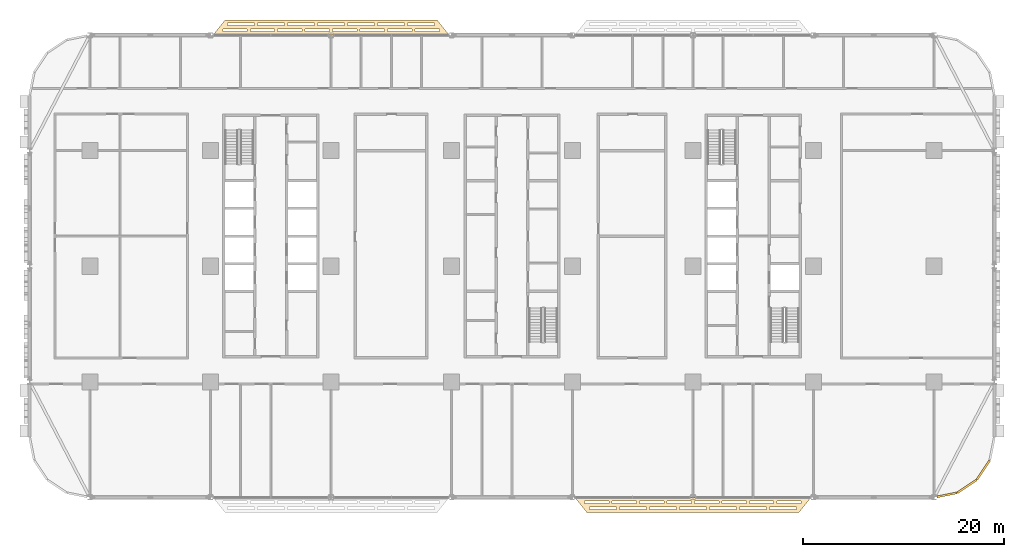
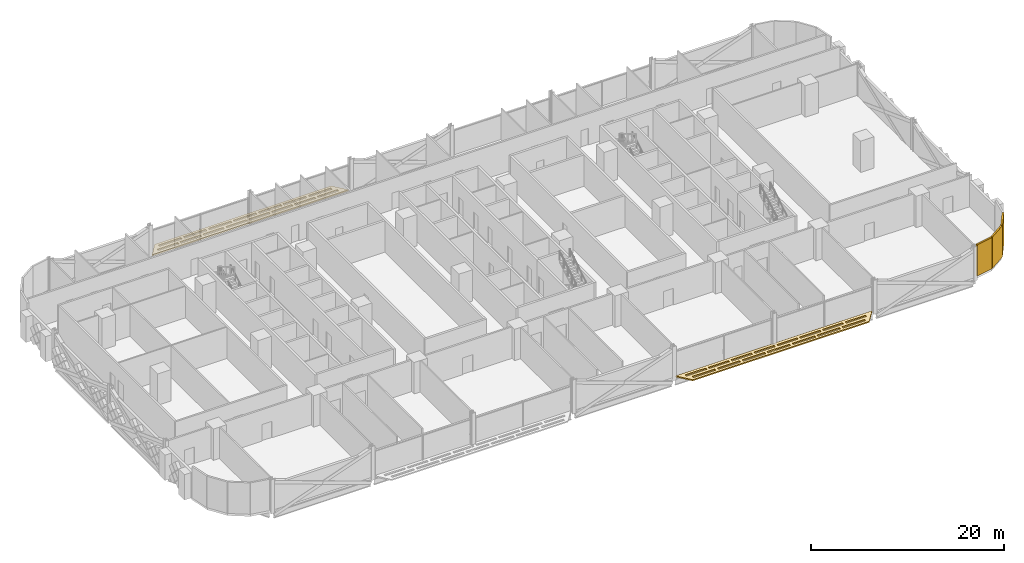
# One storey, part 25 of 27: 5 coverings.
"""IFC4 building model written with IfcOpenShell, lengths in metres."""

import ifcopenshell
import ifcopenshell.guid

model = None  # the IFC model being written
_history = None  # IfcOwnerHistory: only IFC2X3 demands one
_inside = {}  # id of a spatial element -> (the spatial element, [elements in it])
_under = {}  # id of a project, library or spatial element -> (it, [spatial elements below it])
_declared = {}  # id of a project -> (the project, [libraries it declares])
_typed = {}  # id of a type object -> (the type object, [elements of that type])
_made_of = {}  # id of a material, layer set ... -> (it, [elements and type objects made of it])


def new_model(schema):
    """Start an empty IFC model of exactly this schema.

    Asked for "IFC4X3", IfcOpenShell would pick the latest addendum, in which some entities
    have other attributes; the version numbers below select the first issue.
    IFC2X3 requires an IfcOwnerHistory on every rooted entity: one is made here for all.
    """
    global model, _history
    if schema == "IFC4X3":
        model = ifcopenshell.file(schema_version=(4, 3, 0, 0))
    else:
        model = ifcopenshell.file(schema=schema)
    _inside.clear()
    _under.clear()
    _declared.clear()
    _typed.clear()
    _made_of.clear()
    _history = None
    if model.schema == "IFC2X3":
        org = make("IfcOrganization", Name="unknown")
        user = make(
            "IfcPersonAndOrganization",
            ThePerson=make("IfcPerson", FamilyName="unknown"),
            TheOrganization=org,
        )
        app = make(
            "IfcApplication",
            ApplicationDeveloper=org,
            Version="unknown",
            ApplicationFullName="unknown",
            ApplicationIdentifier="unknown",
        )
        _history = make(
            "IfcOwnerHistory",
            OwningUser=user,
            OwningApplication=app,
            ChangeAction="ADDED",
            CreationDate=0,
        )
    return model


def make(cls, **values):
    """One entity of the class cls with the attributes given. An attribute that is None is left unset."""
    return model.create_entity(
        cls, **{name: value for name, value in values.items() if value is not None}
    )


def rooted(cls, **values):
    """An entity with a GlobalId (a new one), such as an element, a storey or a relation."""
    return make(cls, GlobalId=ifcopenshell.guid.new(), OwnerHistory=_history, **values)


def si_unit(unit_type, name, prefix=None):
    """IfcSIUnit, for example si_unit("LENGTHUNIT", "METRE", prefix="MILLI")."""
    return make("IfcSIUnit", UnitType=unit_type, Prefix=prefix, Name=name)


def assignment(units):
    """IfcUnitAssignment: the units of a project."""
    return None if units is None else make("IfcUnitAssignment", Units=units)


def point(xyz):
    """IfcCartesianPoint."""
    return None if xyz is None else make("IfcCartesianPoint", Coordinates=xyz)


def direction(xyz):
    """IfcDirection."""
    return None if xyz is None else make("IfcDirection", DirectionRatios=xyz)


def frame(location, z_axis=None, x_axis=None):
    """IfcAxis2Placement3D, a coordinate frame: its origin and axes. An axis left out is left unset."""
    return make(
        "IfcAxis2Placement3D",
        Location=point(location),
        Axis=direction(z_axis),
        RefDirection=direction(x_axis),
    )


def frame_2d(location, x_axis=None):
    """IfcAxis2Placement2D, a coordinate frame in the plane: its origin and x axis."""
    return make(
        "IfcAxis2Placement2D", Location=point(location), RefDirection=direction(x_axis)
    )


def origin():
    """The frame at (0, 0, 0) with its axes left unset."""
    return frame((0.0, 0.0, 0.0))


def origin_2d():
    """The frame at (0, 0) in the plane with its x axis left unset."""
    return frame_2d((0.0, 0.0))


def place(relative_to, where):
    """IfcLocalPlacement: puts the frame where relative to a parent placement (None: the world)."""
    return make(
        "IfcLocalPlacement", PlacementRelTo=relative_to, RelativePlacement=where
    )


def context(
    kind, dimensions, precision=None, world=None, true_north=None, identifier=None
):
    """IfcGeometricRepresentationContext, for example the 3D "Model" context."""
    return make(
        "IfcGeometricRepresentationContext",
        ContextIdentifier=identifier,
        ContextType=kind,
        CoordinateSpaceDimension=dimensions,
        Precision=precision,
        WorldCoordinateSystem=world,
        TrueNorth=true_north,
    )


def subcontext(parent, identifier, kind, view, scale=None):
    """IfcGeometricRepresentationSubContext, for example "Body" below "Model"."""
    return make(
        "IfcGeometricRepresentationSubContext",
        ContextIdentifier=identifier,
        ContextType=kind,
        ParentContext=parent,
        TargetScale=scale,
        TargetView=view,
    )


def project(units=None, contexts=None):
    """IfcProject with its units and contexts."""
    return rooted(
        "IfcProject",
        Name="project",
        RepresentationContexts=contexts,
        UnitsInContext=assignment(units),
    )


def spatial(cls, under=None, at=None, **own):
    """A site, building, storey or space (cls), placed at a placement, below another one or the project."""
    s = rooted(cls, ObjectPlacement=at, **own)
    if under is not None:
        _under.setdefault(under.id(), (under, []))[1].append(s)
    return s


def polyline(points):
    """IfcPolyline through the points."""
    return make("IfcPolyline", Points=[point(p) for p in points])


def profile(cls, at=None, kind="AREA", **sizes):
    """A parametric profile (cls). Its sizes go by their IFC names, for example OverallWidth=200.0."""
    return make(cls, ProfileType=kind, Position=at, **sizes)


def rectangle(**sizes):
    """IfcRectangleProfileDef."""
    return profile("IfcRectangleProfileDef", **sizes)


def outline(outer, holes=None, kind="AREA"):
    """IfcArbitraryClosedProfileDef: a profile drawn as a closed curve; with holes, ...WithVoids."""
    if holes is None:
        return make("IfcArbitraryClosedProfileDef", ProfileType=kind, OuterCurve=outer)
    return make(
        "IfcArbitraryProfileDefWithVoids",
        ProfileType=kind,
        OuterCurve=outer,
        InnerCurves=holes,
    )


def extrude(swept, where, along, depth):
    """IfcExtrudedAreaSolid: the profile swept, set in the frame where, extruded along a direction by depth."""
    return make(
        "IfcExtrudedAreaSolid",
        SweptArea=swept,
        Position=where,
        ExtrudedDirection=direction(along),
        Depth=depth,
    )


def shape(context_of_items, identifier, shape_type, items):
    """IfcShapeRepresentation: the items that make up one representation, for example the "Body"."""
    return make(
        "IfcShapeRepresentation",
        ContextOfItems=context_of_items,
        RepresentationIdentifier=identifier,
        RepresentationType=shape_type,
        Items=items,
    )


def material(Name=None, Category=None):
    """IfcMaterial."""
    return make("IfcMaterial", Name=Name, Category=Category)


def layer(
    of_material, thickness, ventilated=None, Name=None, Category=None, Priority=None
):
    """IfcMaterialLayer: one layer of a wall or slab, of a material (None: an air gap)."""
    return make(
        "IfcMaterialLayer",
        Material=of_material,
        LayerThickness=thickness,
        IsVentilated=ventilated,
        Name=Name,
        Category=Category,
        Priority=Priority,
    )


def layer_set(layers, Name=None):
    """IfcMaterialLayerSet."""
    return make("IfcMaterialLayerSet", MaterialLayers=layers, LayerSetName=Name)


def made_of(thing, what):
    """Note that an element or type object is made of a material, layer set ...; save() writes the relation."""
    if what is not None:
        _made_of.setdefault(what.id(), (what, []))[1].append(thing)
    return thing


def type_object(cls, material=None, **own):
    """A type object (cls), such as IfcWallType, which elements share."""
    return made_of(rooted(cls, **own), material)


def element(
    cls,
    number,
    at=None,
    inside=None,
    cuts=None,
    type_object=None,
    material=None,
    context=None,
    identifier="Body",
    shape_type=None,
    held_by="IfcProductDefinitionShape",
    body=None,
    shapes=None,
    **own,
):
    """One element of the class cls, such as IfcWall. Its Tag is "e" and its number.

    at: its placement. inside: the storey or other place that contains it. cuts: it is an
    opening in that element (IfcRelVoidsElement). A single representation is given by context,
    identifier, shape_type and body (its items); several are given by shapes. held_by: the class
    of the entity that holds the representations. save() writes the other relations.
    """
    e = rooted(cls, Tag="e%d" % number, ObjectPlacement=at, **own)
    if body is not None:
        shapes = [shape(context, identifier, shape_type, body)]
    if shapes is not None:
        e.Representation = make(held_by, Representations=shapes)
    if inside is not None:
        _inside.setdefault(inside.id(), (inside, []))[1].append(e)
    if cuts is not None:
        rooted(
            "IfcRelVoidsElement", RelatingBuildingElement=cuts, RelatedOpeningElement=e
        )
    if type_object is not None:
        _typed.setdefault(type_object.id(), (type_object, []))[1].append(e)
    return made_of(e, material)


def aggregate(whole, parts):
    """IfcRelAggregates: a whole, such as a stair, and the parts it consists of."""
    return rooted("IfcRelAggregates", RelatingObject=whole, RelatedObjects=parts)


def save(model, path):
    """Write the relations noted so far, then the file.

    IfcRelAggregates (storeys below a building ...), IfcRelContainedInSpatialStructure (elements
    in a storey), IfcRelDefinesByType, IfcRelAssociatesMaterial and IfcRelDeclares: one each for
    every whole, place, type object, material and project.
    """
    for whole, parts in _under.values():
        aggregate(whole, parts)
    for where, things in _inside.values():
        rooted(
            "IfcRelContainedInSpatialStructure",
            RelatedElements=things,
            RelatingStructure=where,
        )
    for kind, things in _typed.values():
        rooted("IfcRelDefinesByType", RelatedObjects=things, RelatingType=kind)
    for what, things in _made_of.values():
        rooted("IfcRelAssociatesMaterial", RelatedObjects=things, RelatingMaterial=what)
    for by, libraries in _declared.values():
        rooted("IfcRelDeclares", RelatingContext=by, RelatedDefinitions=libraries)
    model.write(path)


model = new_model("IFC4")

# Units and contexts
model_context = context("Model", 3, precision=1e-05, world=origin(), true_north=direction((0.0, 1.0)))
body_context = subcontext(model_context, "Body", "Model", "MODEL_VIEW")
ifc_project = project(units=[si_unit("LENGTHUNIT", "METRE"), si_unit("AREAUNIT", "SQUARE_METRE"), si_unit("VOLUMEUNIT", "CUBIC_METRE"), si_unit("PLANEANGLEUNIT", "RADIAN"), si_unit("MASSUNIT", "GRAM", prefix="KILO")], contexts=[model_context])

# Site, building, storey
site_placement = place(None, origin())
site = spatial("IfcSite", under=ifc_project, at=site_placement, CompositionType="ELEMENT")
building_placement = place(site_placement, origin())
building = spatial("IfcBuilding", under=site, at=building_placement, Name="Mahtab Terrace Research Tower", CompositionType="ELEMENT")
storey_placement = place(building_placement, frame((0.0, 0.0, 28.699951171875)))
storey = spatial("IfcBuildingStorey", under=building, at=storey_placement, Name="L06", CompositionType="ELEMENT", Elevation=28.699951171875)

# Coverings
ifc_material_1 = material(Name="Black aluminium cladding panel", Category="aluminium")
ifc_layer_1 = layer(ifc_material_1, 0.199951171875)
ifc_layer_set_1 = layer_set([ifc_layer_1], Name="Black metal corner cladding 200")
covering_type_1 = type_object("IfcCoveringType", Name="Black metal corner cladding 200", PredefinedType="CLADDING", material=ifc_layer_set_1)
covering_1_placement = place(storey_placement, frame((43.28173828125, -22.744873046875, 0.0), z_axis=(0.0, 0.0, 1.0), x_axis=(0.980760981187, 0.195212442692, 0.0)))
element("IfcCovering", 1, at=covering_1_placement, inside=storey, type_object=covering_type_1, Name="Corner cladding L06 29", PredefinedType="CLADDING", context=body_context, shape_type="SweptSolid", body=[
    extrude(rectangle(XDim=2.0283203125, YDim=0.199951171875, at=origin_2d()), origin(), (0.0, 0.0, 1.0), 3.9599609375),
])
for number, where, z_axis, x_axis, name in (
    (2, (45.26953125, -21.89306640625, 0.0), (0.0, 0.0, 1.0), (0.831655794326, 0.555291490808, 0.0), "Corner cladding L06 30"),
    (3, (46.89306640625, -20.26953125, 0.0), (0.0, 0.0, 1.0), (0.555291490808, 0.831655794326, 0.0), "Corner cladding L06 31"),
):
    element("IfcCovering", number, at=place(storey_placement, frame(where, z_axis=z_axis, x_axis=x_axis)), inside=storey, type_object=covering_type_1, Name=name, PredefinedType="CLADDING", context=body_context, shape_type="SweptSolid", body=[
        extrude(rectangle(XDim=2.30126953125, YDim=0.199951171875, at=origin_2d()), origin(), (0.0, 0.0, 1.0), 3.9599609375),
    ])
ifc_material_2 = material(Name="Black anodised aluminium", Category="aluminium")
ifc_layer_2 = layer(ifc_material_2, 0.14990234375)
ifc_layer_set_2 = layer_set([ifc_layer_2], Name="Horizontal sunshade band")
covering_type_2 = type_object("IfcCoveringType", Name="Horizontal sunshade band", PredefinedType="CLADDING", material=ifc_layer_set_2)
covering_2_placement = place(storey_placement, frame((0.0, 0.0, -0.14990234375)))
element("IfcCovering", 4, at=covering_2_placement, inside=storey, type_object=covering_type_2, Name="Sunshade band L06 7", PredefinedType="CLADDING", context=body_context, shape_type="SweptSolid", body=[
    extrude(outline(polyline([(-6.2490234375, 23.0), (-29.7509765625, 23.0), (-28.551025390625, 24.5), (-7.448974609375, 24.5), (-6.2490234375, 23.0)]), holes=[polyline([(-7.22900390625, 23.35009765625), (-9.658935546875, 23.35009765625), (-9.658935546875, 23.60009765625), (-7.22900390625, 23.60009765625), (-7.22900390625, 23.35009765625)]), polyline([(-9.958984375, 23.35009765625), (-12.388916015625, 23.35009765625), (-12.388916015625, 23.60009765625), (-9.958984375, 23.60009765625), (-9.958984375, 23.35009765625)]), polyline([(-12.68896484375, 23.35009765625), (-15.1201171875, 23.35009765625), (-15.1201171875, 23.60009765625), (-12.68896484375, 23.60009765625), (-12.68896484375, 23.35009765625)]), polyline([(-15.419921875, 23.35009765625), (-17.85009765625, 23.35009765625), (-17.85009765625, 23.60009765625), (-15.419921875, 23.60009765625), (-15.419921875, 23.35009765625)]), polyline([(-18.14990234375, 23.35009765625), (-20.580078125, 23.35009765625), (-20.580078125, 23.60009765625), (-18.14990234375, 23.60009765625), (-18.14990234375, 23.35009765625)]), polyline([(-20.8798828125, 23.35009765625), (-23.31005859375, 23.35009765625), (-23.31005859375, 23.60009765625), (-20.8798828125, 23.60009765625), (-20.8798828125, 23.35009765625)]), polyline([(-23.611083984375, 23.35009765625), (-26.041015625, 23.35009765625), (-26.041015625, 23.60009765625), (-23.611083984375, 23.60009765625), (-23.611083984375, 23.35009765625)]), polyline([(-26.341064453125, 23.35009765625), (-28.77099609375, 23.35009765625), (-28.77099609375, 23.60009765625), (-26.341064453125, 23.60009765625), (-26.341064453125, 23.35009765625)]), polyline([(-7.708984375, 23.949951171875), (-10.39208984375, 23.949951171875), (-10.39208984375, 24.199951171875), (-7.708984375, 24.199951171875), (-7.708984375, 23.949951171875)]), polyline([(-10.69189453125, 23.949951171875), (-13.375, 23.949951171875), (-13.375, 24.199951171875), (-10.69189453125, 24.199951171875), (-10.69189453125, 23.949951171875)]), polyline([(-13.675048828125, 23.949951171875), (-16.35791015625, 23.949951171875), (-16.35791015625, 24.199951171875), (-13.675048828125, 24.199951171875), (-13.675048828125, 23.949951171875)]), polyline([(-16.657958984375, 23.949951171875), (-19.342041015625, 23.949951171875), (-19.342041015625, 24.199951171875), (-16.657958984375, 24.199951171875), (-16.657958984375, 23.949951171875)]), polyline([(-19.64208984375, 23.949951171875), (-22.324951171875, 23.949951171875), (-22.324951171875, 24.199951171875), (-19.64208984375, 24.199951171875), (-19.64208984375, 23.949951171875)]), polyline([(-22.625, 23.949951171875), (-25.30810546875, 23.949951171875), (-25.30810546875, 24.199951171875), (-22.625, 24.199951171875), (-22.625, 23.949951171875)]), polyline([(-25.60791015625, 23.949951171875), (-28.291015625, 23.949951171875), (-28.291015625, 24.199951171875), (-25.60791015625, 24.199951171875), (-25.60791015625, 23.949951171875)])]), origin(), (0.0, 0.0, 1.0), 0.14990234375),
])
covering_3_placement = place(storey_placement, frame((0.0, 0.0, -0.14990234375)))
element("IfcCovering", 5, at=covering_3_placement, inside=storey, type_object=covering_type_2, Name="Sunshade band L06 26", PredefinedType="CLADDING", context=body_context, shape_type="SweptSolid", body=[
    extrude(outline(polyline([(6.2490234375, -23.0), (29.7509765625, -23.0), (28.551025390625, -24.5), (7.448974609375, -24.5), (6.2490234375, -23.0)]), holes=[polyline([(7.22900390625, -23.35009765625), (9.658935546875, -23.35009765625), (9.658935546875, -23.60009765625), (7.22900390625, -23.60009765625), (7.22900390625, -23.35009765625)]), polyline([(9.958984375, -23.35009765625), (12.388916015625, -23.35009765625), (12.388916015625, -23.60009765625), (9.958984375, -23.60009765625), (9.958984375, -23.35009765625)]), polyline([(12.68896484375, -23.35009765625), (15.1201171875, -23.35009765625), (15.1201171875, -23.60009765625), (12.68896484375, -23.60009765625), (12.68896484375, -23.35009765625)]), polyline([(15.419921875, -23.35009765625), (17.85009765625, -23.35009765625), (17.85009765625, -23.60009765625), (15.419921875, -23.60009765625), (15.419921875, -23.35009765625)]), polyline([(18.14990234375, -23.35009765625), (20.580078125, -23.35009765625), (20.580078125, -23.60009765625), (18.14990234375, -23.60009765625), (18.14990234375, -23.35009765625)]), polyline([(20.8798828125, -23.35009765625), (23.31005859375, -23.35009765625), (23.31005859375, -23.60009765625), (20.8798828125, -23.60009765625), (20.8798828125, -23.35009765625)]), polyline([(23.611083984375, -23.35009765625), (26.041015625, -23.35009765625), (26.041015625, -23.60009765625), (23.611083984375, -23.60009765625), (23.611083984375, -23.35009765625)]), polyline([(26.341064453125, -23.35009765625), (28.77099609375, -23.35009765625), (28.77099609375, -23.60009765625), (26.341064453125, -23.60009765625), (26.341064453125, -23.35009765625)]), polyline([(7.708984375, -23.949951171875), (10.39208984375, -23.949951171875), (10.39208984375, -24.199951171875), (7.708984375, -24.199951171875), (7.708984375, -23.949951171875)]), polyline([(10.69189453125, -23.949951171875), (13.375, -23.949951171875), (13.375, -24.199951171875), (10.69189453125, -24.199951171875), (10.69189453125, -23.949951171875)]), polyline([(13.675048828125, -23.949951171875), (16.35791015625, -23.949951171875), (16.35791015625, -24.199951171875), (13.675048828125, -24.199951171875), (13.675048828125, -23.949951171875)]), polyline([(16.657958984375, -23.949951171875), (19.342041015625, -23.949951171875), (19.342041015625, -24.199951171875), (16.657958984375, -24.199951171875), (16.657958984375, -23.949951171875)]), polyline([(19.64208984375, -23.949951171875), (22.324951171875, -23.949951171875), (22.324951171875, -24.199951171875), (19.64208984375, -24.199951171875), (19.64208984375, -23.949951171875)]), polyline([(22.625, -23.949951171875), (25.30810546875, -23.949951171875), (25.30810546875, -24.199951171875), (22.625, -24.199951171875), (22.625, -23.949951171875)]), polyline([(25.60791015625, -23.949951171875), (28.291015625, -23.949951171875), (28.291015625, -24.199951171875), (25.60791015625, -24.199951171875), (25.60791015625, -23.949951171875)])]), origin(), (0.0, 0.0, 1.0), 0.14990234375),
])

save(model, "model.ifc")
